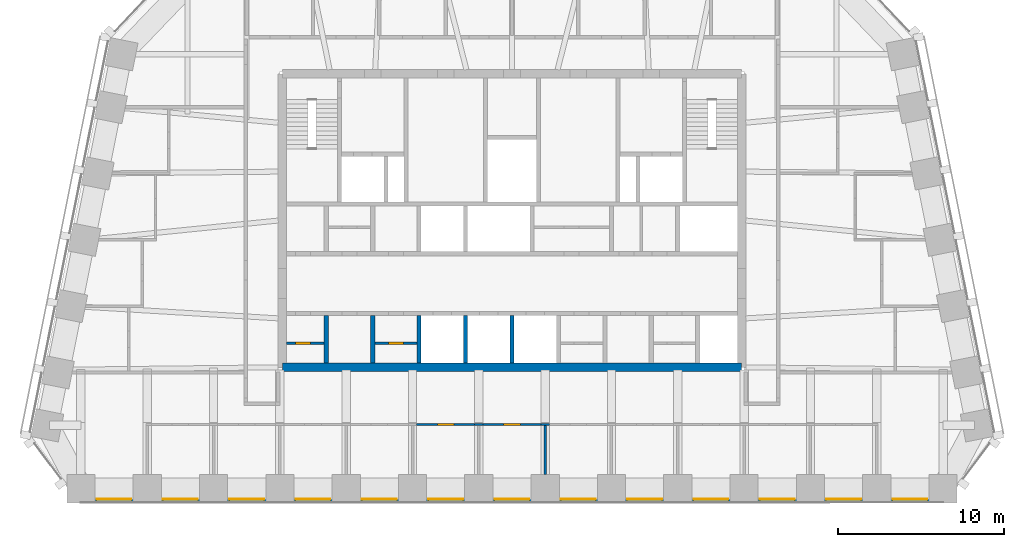
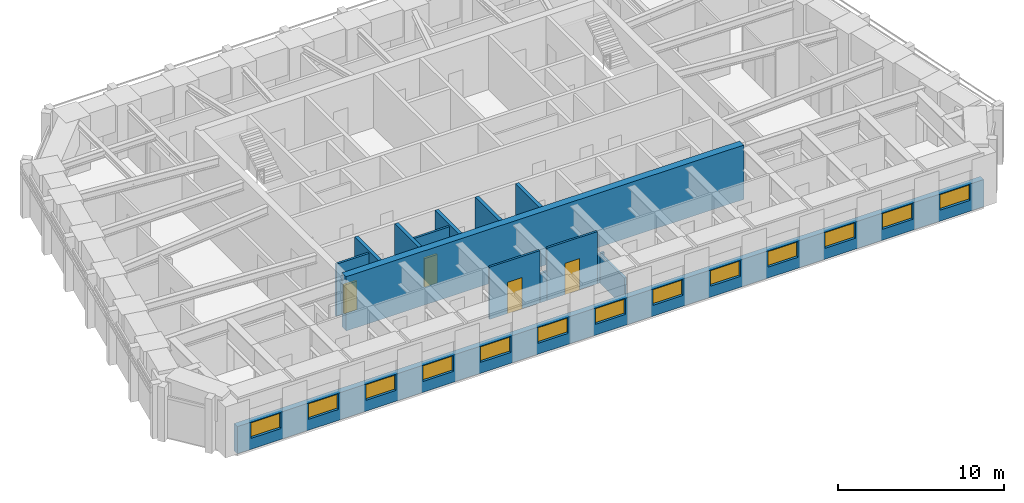
# One storey, part 5 of 12: 14 walls, 13 windows, 4 doors, 17 openings.
"""IFC4 building model written with IfcOpenShell, lengths in metres."""

from ifc_helpers import new_model, si_unit, direction, frame, frame_2d, origin, place, context, subcontext, project, spatial, rectangle, extrude, material, layer, layer_set, type_object, element, fill, save


model = new_model("IFC4")

# Units and contexts
model_context = context("Model", 3, precision=1e-05, world=origin(), true_north=direction((0.0, 1.0)))
body_context = subcontext(model_context, "Body", "Model", "MODEL_VIEW")
ifc_project = project(units=[si_unit("LENGTHUNIT", "METRE"), si_unit("AREAUNIT", "SQUARE_METRE"), si_unit("VOLUMEUNIT", "CUBIC_METRE"), si_unit("PLANEANGLEUNIT", "RADIAN"), si_unit("MASSUNIT", "GRAM", prefix="KILO")], contexts=[model_context])

# Site, building, storey
site_placement = place(None, origin())
site = spatial("IfcSite", under=ifc_project, at=site_placement, CompositionType="ELEMENT")
building_placement = place(site_placement, origin())
building = spatial("IfcBuilding", under=site, at=building_placement, Name="Isbrekke Arena Tower", CompositionType="ELEMENT")
storey_placement = place(building_placement, frame((0.0, 0.0, 304.0)))
storey = spatial("IfcBuildingStorey", under=building, at=storey_placement, Name="L71", CompositionType="ELEMENT", Elevation=304.0)

# Walls
ifc_material_1 = material(Name="Concrete B55 (C55/67)", Category="concrete")
ifc_layer_1 = layer(ifc_material_1, 0.5)
ifc_layer_set_1 = layer_set([ifc_layer_1], Name="CW5 CORE WALL 500")
wall_type_1 = type_object("IfcWallType", Name="CW5 CORE WALL 500", PredefinedType="SHEAR", material=ifc_layer_set_1)
wall_1_placement = place(storey_placement, frame((-13.85009765625, 6.14990234375, 0.0), z_axis=(0.0, 0.0, 1.0), x_axis=(1.0, 0.0, 0.0)))
element("IfcWall", 1, at=wall_1_placement, inside=storey, type_object=wall_type_1, Name="Core wall S L71", PredefinedType="SHEAR", context=body_context, shape_type="SweptSolid", body=[
    extrude(rectangle(XDim=27.7001953125, YDim=0.5, at=frame_2d((13.85009765625, 0.0))), origin(), (0.0, 0.0, 1.0), 4.0),
])
ifc_material_2 = material(Name="Concrete B45 (C45/55)", Category="concrete")
ifc_layer_2 = layer(ifc_material_2, 0.25)
ifc_layer_set_2 = layer_set([ifc_layer_2], Name="CW6 SHAFT WALL 250")
wall_type_2 = type_object("IfcWallType", Name="CW6 SHAFT WALL 250", PredefinedType="SHEAR", material=ifc_layer_set_2)
for number, where, z_axis, x_axis, name in (
    (2, (-11.199951171875, 6.39990234375, 0.0), (0.0, 0.0, 1.0), (0.0, 1.0, 0.0), "Core wall SS01 L71"),
    (3, (-8.39990234375, 6.39990234375, 0.0), (0.0, 0.0, 1.0), (0.0, 1.0, 0.0), "Core wall SS02 L71"),
    (4, (-5.60009765625, 6.39990234375, 0.0), (0.0, 0.0, 1.0), (0.0, 1.0, 0.0), "Core wall SS03 L71"),
    (5, (-2.800048828125, 6.39990234375, 0.0), (0.0, 0.0, 1.0), (0.0, 1.0, 0.0), "Core wall SS04 L71"),
    (6, (0.0, 6.39990234375, 0.0), (0.0, 0.0, 1.0), (0.0, 1.0, 0.0), "Core wall SS05 L71"),
):
    element("IfcWall", number, at=place(storey_placement, frame(where, z_axis=z_axis, x_axis=x_axis)), inside=storey, type_object=wall_type_2, Name=name, PredefinedType="SHEAR", context=body_context, shape_type="SweptSolid", body=[
        extrude(rectangle(XDim=2.875, YDim=0.25, at=frame_2d((1.4375, 0.0))), origin(), (0.0, 0.0, 1.0), 4.0),
    ])

# Wall, openings, windows
ifc_material_3 = material(Name="Copper cladding on insulated framing", Category="metal")
ifc_layer_3 = layer(ifc_material_3, 0.39990234375)
ifc_layer_set_3 = layer_set([ifc_layer_3], Name="EW2 COPPER-CLAD WALL 400")
wall_type_3 = type_object("IfcWallType", Name="EW2 COPPER-CLAD WALL 400", PredefinedType="SOLIDWALL", material=ifc_layer_set_3)
wall_2_placement = place(storey_placement, frame((-26.0, -1.800048828125, 0.0), z_axis=(0.0, 0.0, 1.0), x_axis=(1.0, 0.0, 0.0)))
wall_2 = element("IfcWall", 7, at=wall_2_placement, inside=storey, type_object=wall_type_3, Name="EW2 terrace wall L71", PredefinedType="SOLIDWALL", context=body_context, shape_type="SweptSolid", body=[
    extrude(rectangle(XDim=52.0, YDim=0.39990234375, at=frame_2d((26.0, 0.0))), origin(), (0.0, 0.0, 1.0), 2.0),
])
opening_1_placement = place(wall_2_placement, frame((0.949951171875, 0.0, 0.800048828125)))
opening_1 = element("IfcOpeningElement", 8, at=opening_1_placement, cuts=wall_2, Name="Opening WN1", PredefinedType="OPENING", context=body_context, shape_type="SweptSolid", body=[
    extrude(rectangle(XDim=2.10009765625, YDim=1.14990234375, at=frame_2d((1.050048828125, 0.574951171875))), frame((0.0, 0.21484375, 0.0), z_axis=(0.0, -1.0, 0.0), x_axis=(1.0, 0.0, 0.0)), (0.0, 0.0, 1.0), 0.4296875),
])
opening_2_placement = place(wall_2_placement, frame((4.949951171875, 0.0, 0.800048828125)))
opening_2 = element("IfcOpeningElement", 9, at=opening_2_placement, cuts=wall_2, Name="Opening WN1", PredefinedType="OPENING", context=body_context, shape_type="SweptSolid", body=[
    extrude(rectangle(XDim=2.10009765625, YDim=1.14990234375, at=frame_2d((1.050048828125, 0.574951171875))), frame((0.0, 0.21484375, 0.0), z_axis=(0.0, -1.0, 0.0), x_axis=(1.0, 0.0, 0.0)), (0.0, 0.0, 1.0), 0.4296875),
])
opening_3_placement = place(wall_2_placement, frame((8.949951171875, 0.0, 0.800048828125)))
opening_3 = element("IfcOpeningElement", 10, at=opening_3_placement, cuts=wall_2, Name="Opening WN1", PredefinedType="OPENING", context=body_context, shape_type="SweptSolid", body=[
    extrude(rectangle(XDim=2.10009765625, YDim=1.14990234375, at=frame_2d((1.050048828125, 0.574951171875))), frame((0.0, 0.21484375, 0.0), z_axis=(0.0, -1.0, 0.0), x_axis=(1.0, 0.0, 0.0)), (0.0, 0.0, 1.0), 0.4296875),
])
opening_4_placement = place(wall_2_placement, frame((12.949951171875, 0.0, 0.800048828125)))
opening_4 = element("IfcOpeningElement", 11, at=opening_4_placement, cuts=wall_2, Name="Opening WN1", PredefinedType="OPENING", context=body_context, shape_type="SweptSolid", body=[
    extrude(rectangle(XDim=2.10009765625, YDim=1.14990234375, at=frame_2d((1.050048828125, 0.574951171875))), frame((0.0, 0.21484375, 0.0), z_axis=(0.0, -1.0, 0.0), x_axis=(1.0, 0.0, 0.0)), (0.0, 0.0, 1.0), 0.4296875),
])
opening_5_placement = place(wall_2_placement, frame((16.949951171875, 0.0, 0.800048828125)))
opening_5 = element("IfcOpeningElement", 12, at=opening_5_placement, cuts=wall_2, Name="Opening WN1", PredefinedType="OPENING", context=body_context, shape_type="SweptSolid", body=[
    extrude(rectangle(XDim=2.10009765625, YDim=1.14990234375, at=frame_2d((1.050048828125, 0.574951171875))), frame((0.0, 0.21484375, 0.0), z_axis=(0.0, -1.0, 0.0), x_axis=(1.0, 0.0, 0.0)), (0.0, 0.0, 1.0), 0.4296875),
])
opening_6_placement = place(wall_2_placement, frame((20.949951171875, 0.0, 0.800048828125)))
opening_6 = element("IfcOpeningElement", 13, at=opening_6_placement, cuts=wall_2, Name="Opening WN1", PredefinedType="OPENING", context=body_context, shape_type="SweptSolid", body=[
    extrude(rectangle(XDim=2.10009765625, YDim=1.14990234375, at=frame_2d((1.050048828125, 0.574951171875))), frame((0.0, 0.21484375, 0.0), z_axis=(0.0, -1.0, 0.0), x_axis=(1.0, 0.0, 0.0)), (0.0, 0.0, 1.0), 0.4296875),
])
opening_7_placement = place(wall_2_placement, frame((24.949951171875, 0.0, 0.800048828125)))
opening_7 = element("IfcOpeningElement", 14, at=opening_7_placement, cuts=wall_2, Name="Opening WN1", PredefinedType="OPENING", context=body_context, shape_type="SweptSolid", body=[
    extrude(rectangle(XDim=2.10009765625, YDim=1.14990234375, at=frame_2d((1.050048828125, 0.574951171875))), frame((0.0, 0.21484375, 0.0), z_axis=(0.0, -1.0, 0.0), x_axis=(1.0, 0.0, 0.0)), (0.0, 0.0, 1.0), 0.4296875),
])
opening_8_placement = place(wall_2_placement, frame((28.949951171875, 0.0, 0.800048828125)))
opening_8 = element("IfcOpeningElement", 15, at=opening_8_placement, cuts=wall_2, Name="Opening WN1", PredefinedType="OPENING", context=body_context, shape_type="SweptSolid", body=[
    extrude(rectangle(XDim=2.10009765625, YDim=1.14990234375, at=frame_2d((1.050048828125, 0.574951171875))), frame((0.0, 0.21484375, 0.0), z_axis=(0.0, -1.0, 0.0), x_axis=(1.0, 0.0, 0.0)), (0.0, 0.0, 1.0), 0.4296875),
])
opening_9_placement = place(wall_2_placement, frame((32.949951171875, 0.0, 0.800048828125)))
opening_9 = element("IfcOpeningElement", 16, at=opening_9_placement, cuts=wall_2, Name="Opening WN1", PredefinedType="OPENING", context=body_context, shape_type="SweptSolid", body=[
    extrude(rectangle(XDim=2.10009765625, YDim=1.14990234375, at=frame_2d((1.050048828125, 0.574951171875))), frame((0.0, 0.21484375, 0.0), z_axis=(0.0, -1.0, 0.0), x_axis=(1.0, 0.0, 0.0)), (0.0, 0.0, 1.0), 0.4296875),
])
opening_10_placement = place(wall_2_placement, frame((36.949951171875, 0.0, 0.800048828125)))
opening_10 = element("IfcOpeningElement", 17, at=opening_10_placement, cuts=wall_2, Name="Opening WN1", PredefinedType="OPENING", context=body_context, shape_type="SweptSolid", body=[
    extrude(rectangle(XDim=2.10009765625, YDim=1.14990234375, at=frame_2d((1.050048828125, 0.574951171875))), frame((0.0, 0.21484375, 0.0), z_axis=(0.0, -1.0, 0.0), x_axis=(1.0, 0.0, 0.0)), (0.0, 0.0, 1.0), 0.4296875),
])
opening_11_placement = place(wall_2_placement, frame((40.949951171875, 0.0, 0.800048828125)))
opening_11 = element("IfcOpeningElement", 18, at=opening_11_placement, cuts=wall_2, Name="Opening WN1", PredefinedType="OPENING", context=body_context, shape_type="SweptSolid", body=[
    extrude(rectangle(XDim=2.10009765625, YDim=1.14990234375, at=frame_2d((1.050048828125, 0.574951171875))), frame((0.0, 0.21484375, 0.0), z_axis=(0.0, -1.0, 0.0), x_axis=(1.0, 0.0, 0.0)), (0.0, 0.0, 1.0), 0.4296875),
])
opening_12_placement = place(wall_2_placement, frame((44.949951171875, 0.0, 0.800048828125)))
opening_12 = element("IfcOpeningElement", 19, at=opening_12_placement, cuts=wall_2, Name="Opening WN1", PredefinedType="OPENING", context=body_context, shape_type="SweptSolid", body=[
    extrude(rectangle(XDim=2.10009765625, YDim=1.14990234375, at=frame_2d((1.050048828125, 0.574951171875))), frame((0.0, 0.21484375, 0.0), z_axis=(0.0, -1.0, 0.0), x_axis=(1.0, 0.0, 0.0)), (0.0, 0.0, 1.0), 0.4296875),
])
opening_13_placement = place(wall_2_placement, frame((48.949951171875, 0.0, 0.800048828125)))
opening_13 = element("IfcOpeningElement", 20, at=opening_13_placement, cuts=wall_2, Name="Opening WN1", PredefinedType="OPENING", context=body_context, shape_type="SweptSolid", body=[
    extrude(rectangle(XDim=2.10009765625, YDim=1.14990234375, at=frame_2d((1.050048828125, 0.574951171875))), frame((0.0, 0.21484375, 0.0), z_axis=(0.0, -1.0, 0.0), x_axis=(1.0, 0.0, 0.0)), (0.0, 0.0, 1.0), 0.4296875),
])
ifc_material_4 = material(Name="Timber-aluminium window, triple glazed", Category="wood")
window_type = type_object("IfcWindowType", Name="WN1 TERRACE WINDOW 2100 x 1150", PartitioningType="SINGLE_PANEL", PredefinedType="WINDOW", material=ifc_material_4)
window_1_placement = place(opening_1_placement, origin())
window_1 = element("IfcWindow", 21, at=window_1_placement, inside=storey, type_object=window_type, Name="WN1 terrace window L71-1", OverallHeight=1.14990234375, OverallWidth=2.10009765625, PartitioningType="SINGLE_PANEL", PredefinedType="WINDOW", context=body_context, shape_type="SweptSolid", body=[
    extrude(rectangle(XDim=2.10009765625, YDim=1.14990234375, at=frame_2d((1.050048828125, 0.574951171875))), frame((0.0, 0.030029296875, 0.0), z_axis=(0.0, -1.0, 0.0), x_axis=(1.0, 0.0, 0.0)), (0.0, 0.0, 1.0), 0.06005859375),
])
fill(opening_1, window_1)
window_2_placement = place(opening_2_placement, origin())
window_2 = element("IfcWindow", 22, at=window_2_placement, inside=storey, type_object=window_type, Name="WN1 terrace window L71-2", OverallHeight=1.14990234375, OverallWidth=2.10009765625, PartitioningType="SINGLE_PANEL", PredefinedType="WINDOW", context=body_context, shape_type="SweptSolid", body=[
    extrude(rectangle(XDim=2.10009765625, YDim=1.14990234375, at=frame_2d((1.050048828125, 0.574951171875))), frame((0.0, 0.030029296875, 0.0), z_axis=(0.0, -1.0, 0.0), x_axis=(1.0, 0.0, 0.0)), (0.0, 0.0, 1.0), 0.06005859375),
])
fill(opening_2, window_2)
window_3_placement = place(opening_3_placement, origin())
window_3 = element("IfcWindow", 23, at=window_3_placement, inside=storey, type_object=window_type, Name="WN1 terrace window L71-3", OverallHeight=1.14990234375, OverallWidth=2.10009765625, PartitioningType="SINGLE_PANEL", PredefinedType="WINDOW", context=body_context, shape_type="SweptSolid", body=[
    extrude(rectangle(XDim=2.10009765625, YDim=1.14990234375, at=frame_2d((1.050048828125, 0.574951171875))), frame((0.0, 0.030029296875, 0.0), z_axis=(0.0, -1.0, 0.0), x_axis=(1.0, 0.0, 0.0)), (0.0, 0.0, 1.0), 0.06005859375),
])
fill(opening_3, window_3)
window_4_placement = place(opening_4_placement, origin())
window_4 = element("IfcWindow", 24, at=window_4_placement, inside=storey, type_object=window_type, Name="WN1 terrace window L71-4", OverallHeight=1.14990234375, OverallWidth=2.10009765625, PartitioningType="SINGLE_PANEL", PredefinedType="WINDOW", context=body_context, shape_type="SweptSolid", body=[
    extrude(rectangle(XDim=2.10009765625, YDim=1.14990234375, at=frame_2d((1.050048828125, 0.574951171875))), frame((0.0, 0.030029296875, 0.0), z_axis=(0.0, -1.0, 0.0), x_axis=(1.0, 0.0, 0.0)), (0.0, 0.0, 1.0), 0.06005859375),
])
fill(opening_4, window_4)
window_5_placement = place(opening_5_placement, origin())
window_5 = element("IfcWindow", 25, at=window_5_placement, inside=storey, type_object=window_type, Name="WN1 terrace window L71-5", OverallHeight=1.14990234375, OverallWidth=2.10009765625, PartitioningType="SINGLE_PANEL", PredefinedType="WINDOW", context=body_context, shape_type="SweptSolid", body=[
    extrude(rectangle(XDim=2.10009765625, YDim=1.14990234375, at=frame_2d((1.050048828125, 0.574951171875))), frame((0.0, 0.030029296875, 0.0), z_axis=(0.0, -1.0, 0.0), x_axis=(1.0, 0.0, 0.0)), (0.0, 0.0, 1.0), 0.06005859375),
])
fill(opening_5, window_5)
window_6_placement = place(opening_6_placement, origin())
window_6 = element("IfcWindow", 26, at=window_6_placement, inside=storey, type_object=window_type, Name="WN1 terrace window L71-6", OverallHeight=1.14990234375, OverallWidth=2.10009765625, PartitioningType="SINGLE_PANEL", PredefinedType="WINDOW", context=body_context, shape_type="SweptSolid", body=[
    extrude(rectangle(XDim=2.10009765625, YDim=1.14990234375, at=frame_2d((1.050048828125, 0.574951171875))), frame((0.0, 0.030029296875, 0.0), z_axis=(0.0, -1.0, 0.0), x_axis=(1.0, 0.0, 0.0)), (0.0, 0.0, 1.0), 0.06005859375),
])
fill(opening_6, window_6)
window_7_placement = place(opening_7_placement, origin())
window_7 = element("IfcWindow", 27, at=window_7_placement, inside=storey, type_object=window_type, Name="WN1 terrace window L71-7", OverallHeight=1.14990234375, OverallWidth=2.10009765625, PartitioningType="SINGLE_PANEL", PredefinedType="WINDOW", context=body_context, shape_type="SweptSolid", body=[
    extrude(rectangle(XDim=2.10009765625, YDim=1.14990234375, at=frame_2d((1.050048828125, 0.574951171875))), frame((0.0, 0.030029296875, 0.0), z_axis=(0.0, -1.0, 0.0), x_axis=(1.0, 0.0, 0.0)), (0.0, 0.0, 1.0), 0.06005859375),
])
fill(opening_7, window_7)
window_8_placement = place(opening_8_placement, origin())
window_8 = element("IfcWindow", 28, at=window_8_placement, inside=storey, type_object=window_type, Name="WN1 terrace window L71-8", OverallHeight=1.14990234375, OverallWidth=2.10009765625, PartitioningType="SINGLE_PANEL", PredefinedType="WINDOW", context=body_context, shape_type="SweptSolid", body=[
    extrude(rectangle(XDim=2.10009765625, YDim=1.14990234375, at=frame_2d((1.050048828125, 0.574951171875))), frame((0.0, 0.030029296875, 0.0), z_axis=(0.0, -1.0, 0.0), x_axis=(1.0, 0.0, 0.0)), (0.0, 0.0, 1.0), 0.06005859375),
])
fill(opening_8, window_8)
window_9_placement = place(opening_9_placement, origin())
window_9 = element("IfcWindow", 29, at=window_9_placement, inside=storey, type_object=window_type, Name="WN1 terrace window L71-9", OverallHeight=1.14990234375, OverallWidth=2.10009765625, PartitioningType="SINGLE_PANEL", PredefinedType="WINDOW", context=body_context, shape_type="SweptSolid", body=[
    extrude(rectangle(XDim=2.10009765625, YDim=1.14990234375, at=frame_2d((1.050048828125, 0.574951171875))), frame((0.0, 0.030029296875, 0.0), z_axis=(0.0, -1.0, 0.0), x_axis=(1.0, 0.0, 0.0)), (0.0, 0.0, 1.0), 0.06005859375),
])
fill(opening_9, window_9)
window_10_placement = place(opening_10_placement, origin())
window_10 = element("IfcWindow", 30, at=window_10_placement, inside=storey, type_object=window_type, Name="WN1 terrace window L71-10", OverallHeight=1.14990234375, OverallWidth=2.10009765625, PartitioningType="SINGLE_PANEL", PredefinedType="WINDOW", context=body_context, shape_type="SweptSolid", body=[
    extrude(rectangle(XDim=2.10009765625, YDim=1.14990234375, at=frame_2d((1.050048828125, 0.574951171875))), frame((0.0, 0.030029296875, 0.0), z_axis=(0.0, -1.0, 0.0), x_axis=(1.0, 0.0, 0.0)), (0.0, 0.0, 1.0), 0.06005859375),
])
fill(opening_10, window_10)
window_11_placement = place(opening_11_placement, origin())
window_11 = element("IfcWindow", 31, at=window_11_placement, inside=storey, type_object=window_type, Name="WN1 terrace window L71-11", OverallHeight=1.14990234375, OverallWidth=2.10009765625, PartitioningType="SINGLE_PANEL", PredefinedType="WINDOW", context=body_context, shape_type="SweptSolid", body=[
    extrude(rectangle(XDim=2.10009765625, YDim=1.14990234375, at=frame_2d((1.050048828125, 0.574951171875))), frame((0.0, 0.030029296875, 0.0), z_axis=(0.0, -1.0, 0.0), x_axis=(1.0, 0.0, 0.0)), (0.0, 0.0, 1.0), 0.06005859375),
])
fill(opening_11, window_11)
window_12_placement = place(opening_12_placement, origin())
window_12 = element("IfcWindow", 32, at=window_12_placement, inside=storey, type_object=window_type, Name="WN1 terrace window L71-12", OverallHeight=1.14990234375, OverallWidth=2.10009765625, PartitioningType="SINGLE_PANEL", PredefinedType="WINDOW", context=body_context, shape_type="SweptSolid", body=[
    extrude(rectangle(XDim=2.10009765625, YDim=1.14990234375, at=frame_2d((1.050048828125, 0.574951171875))), frame((0.0, 0.030029296875, 0.0), z_axis=(0.0, -1.0, 0.0), x_axis=(1.0, 0.0, 0.0)), (0.0, 0.0, 1.0), 0.06005859375),
])
fill(opening_12, window_12)
window_13_placement = place(opening_13_placement, origin())
window_13 = element("IfcWindow", 33, at=window_13_placement, inside=storey, type_object=window_type, Name="WN1 terrace window L71-13", OverallHeight=1.14990234375, OverallWidth=2.10009765625, PartitioningType="SINGLE_PANEL", PredefinedType="WINDOW", context=body_context, shape_type="SweptSolid", body=[
    extrude(rectangle(XDim=2.10009765625, YDim=1.14990234375, at=frame_2d((1.050048828125, 0.574951171875))), frame((0.0, 0.030029296875, 0.0), z_axis=(0.0, -1.0, 0.0), x_axis=(1.0, 0.0, 0.0)), (0.0, 0.0, 1.0), 0.06005859375),
])
fill(opening_13, window_13)

# Wall, opening, door
ifc_material_5 = material(Name="Gypsum board partition on steel studs", Category="steel")
ifc_layer_4 = layer(ifc_material_5, 0.14990234375)
ifc_layer_set_4 = layer_set([ifc_layer_4], Name="IW1 PARTITION 150")
wall_type_4 = type_object("IfcWallType", Name="IW1 PARTITION 150", PredefinedType="PARTITIONING", material=ifc_layer_set_4)
wall_3_placement = place(storey_placement, frame((-5.75, 2.699951171875, 0.0), z_axis=(0.0, 0.0, 1.0), x_axis=(1.0, 0.0, 0.0)))
wall_3 = element("IfcWall", 34, at=wall_3_placement, inside=storey, type_object=wall_type_4, Name="IW1 partition 150 L71", PredefinedType="PARTITIONING", context=body_context, shape_type="SweptSolid", body=[
    extrude(rectangle(XDim=3.5, YDim=0.14990234375, at=frame_2d((1.75, 0.0))), origin(), (0.0, 0.0, 1.0), 3.85009765625),
])
opening_14_placement = place(wall_3_placement, frame((1.25, 0.0, 0.0)))
opening_14 = element("IfcOpeningElement", 35, at=opening_14_placement, cuts=wall_3, Name="Opening D10", PredefinedType="OPENING", context=body_context, shape_type="SweptSolid", body=[
    extrude(rectangle(XDim=1.0, YDim=2.300048828125, at=frame_2d((0.5, 1.14990234375))), frame((0.0, 0.08984375, 0.0), z_axis=(0.0, -1.0, 0.0), x_axis=(1.0, 0.0, 0.0)), (0.0, 0.0, 1.0), 0.1796875),
])
ifc_material_6 = material(Name="Timber door", Category="wood")
door_type_1 = type_object("IfcDoorType", Name="D10 OFFICE DOOR 1000 x 2300", OperationType="SINGLE_SWING_LEFT", PredefinedType="DOOR", material=ifc_material_6)
door_1_placement = place(opening_14_placement, origin())
door_1 = element("IfcDoor", 36, at=door_1_placement, inside=storey, type_object=door_type_1, Name="D10 executive office door L71", OperationType="SINGLE_SWING_LEFT", OverallHeight=2.300048828125, OverallWidth=1.0, PredefinedType="DOOR", context=body_context, shape_type="SweptSolid", body=[
    extrude(rectangle(XDim=1.0, YDim=2.300048828125, at=frame_2d((0.5, 1.14990234375))), frame((0.0, 0.07470703125, 0.0), z_axis=(0.0, -1.0, 0.0), x_axis=(1.0, 0.0, 0.0)), (0.0, 0.0, 1.0), 0.1494140625),
])
fill(opening_14, door_1)

# Wall
wall_4_placement = place(storey_placement, frame((-2.25, 2.699951171875, 0.0), z_axis=(0.0, 0.0, 1.0), x_axis=(1.0, 0.0, 0.0)))
element("IfcWall", 37, at=wall_4_placement, inside=storey, type_object=wall_type_4, Name="IW1 partition 150 L71", PredefinedType="PARTITIONING", context=body_context, shape_type="SweptSolid", body=[
    extrude(rectangle(XDim=0.5, YDim=0.14990234375, at=frame_2d((0.25, 0.0))), origin(), (0.0, 0.0, 1.0), 2.14990234375),
])

# Wall, opening, door
wall_5_placement = place(storey_placement, frame((-1.75, 2.699951171875, 0.0), z_axis=(0.0, 0.0, 1.0), x_axis=(1.0, 0.0, 0.0)))
wall_5 = element("IfcWall", 38, at=wall_5_placement, inside=storey, type_object=wall_type_4, Name="IW1 partition 150 L71", PredefinedType="PARTITIONING", context=body_context, shape_type="SweptSolid", body=[
    extrude(rectangle(XDim=3.5, YDim=0.14990234375, at=frame_2d((1.75, 0.0))), origin(), (0.0, 0.0, 1.0), 3.85009765625),
])
opening_15_placement = place(wall_5_placement, frame((1.25, 0.0, 0.0)))
opening_15 = element("IfcOpeningElement", 39, at=opening_15_placement, cuts=wall_5, Name="Opening D10", PredefinedType="OPENING", context=body_context, shape_type="SweptSolid", body=[
    extrude(rectangle(XDim=1.0, YDim=2.300048828125, at=frame_2d((0.5, 1.14990234375))), frame((0.0, 0.08984375, 0.0), z_axis=(0.0, -1.0, 0.0), x_axis=(1.0, 0.0, 0.0)), (0.0, 0.0, 1.0), 0.1796875),
])
door_2_placement = place(opening_15_placement, origin())
door_2 = element("IfcDoor", 40, at=door_2_placement, inside=storey, type_object=door_type_1, Name="D10 executive office door L71", OperationType="SINGLE_SWING_LEFT", OverallHeight=2.300048828125, OverallWidth=1.0, PredefinedType="DOOR", context=body_context, shape_type="SweptSolid", body=[
    extrude(rectangle(XDim=1.0, YDim=2.300048828125, at=frame_2d((0.5, 1.14990234375))), frame((0.0, 0.07470703125, 0.0), z_axis=(0.0, -1.0, 0.0), x_axis=(1.0, 0.0, 0.0)), (0.0, 0.0, 1.0), 0.1494140625),
])
fill(opening_15, door_2)

# Walls
wall_6_placement = place(storey_placement, frame((1.75, 2.699951171875, 0.0), z_axis=(0.0, 0.0, 1.0), x_axis=(1.0, 0.0, 0.0)))
element("IfcWall", 41, at=wall_6_placement, inside=storey, type_object=wall_type_4, Name="IW1 partition 150 L71", PredefinedType="PARTITIONING", context=body_context, shape_type="SweptSolid", body=[
    extrude(rectangle(XDim=0.5, YDim=0.14990234375, at=frame_2d((0.25, 0.0))), origin(), (0.0, 0.0, 1.0), 2.14990234375),
])
wall_7_placement = place(storey_placement, frame((2.0, -0.324951171875, 0.0), z_axis=(0.0, 0.0, 1.0), x_axis=(0.0, 1.0, 0.0)))
element("IfcWall", 42, at=wall_7_placement, inside=storey, type_object=wall_type_4, Name="IW1 partition 150 L71", PredefinedType="PARTITIONING", context=body_context, shape_type="SweptSolid", body=[
    extrude(rectangle(XDim=2.949951171875, YDim=0.14990234375, at=frame_2d((1.47509765625, 0.0))), origin(), (0.0, 0.0, 1.0), 2.14990234375),
])

# Wall, opening, door
ifc_material_7 = material(Name="Gypsum board fire-rated partition on steel studs, two layers each side", Category="steel")
ifc_layer_5 = layer(ifc_material_7, 0.14990234375)
ifc_layer_set_5 = layer_set([ifc_layer_5], Name="IW5 FIRE-RATED PARTITION 150")
wall_type_5 = type_object("IfcWallType", Name="IW5 FIRE-RATED PARTITION 150", PredefinedType="PARTITIONING", material=ifc_layer_set_5)
wall_8_placement = place(storey_placement, frame((-13.60009765625, 7.60009765625, 0.0), z_axis=(0.0, 0.0, 1.0), x_axis=(1.0, 0.0, 0.0)))
wall_8 = element("IfcWall", 43, at=wall_8_placement, inside=storey, type_object=wall_type_5, Name="IW5 fire-rated partition L71 core service rooms 4", PredefinedType="PARTITIONING", context=body_context, shape_type="SweptSolid", body=[
    extrude(rectangle(XDim=2.275146484375, YDim=0.14990234375, at=frame_2d((1.1376953125, 0.0))), origin(), (0.0, 0.0, 1.0), 3.85009765625),
])
opening_16_placement = place(wall_8_placement, frame((0.550048828125, 0.0, 0.0)))
opening_16 = element("IfcOpeningElement", 44, at=opening_16_placement, cuts=wall_8, Name="Opening D5", PredefinedType="OPENING", context=body_context, shape_type="SweptSolid", body=[
    extrude(rectangle(XDim=0.89990234375, YDim=2.10009765625, at=frame_2d((0.449951171875, 1.050048828125))), frame((0.0, 0.08984375, 0.0), z_axis=(0.0, -1.0, 0.0), x_axis=(1.0, 0.0, 0.0)), (0.0, 0.0, 1.0), 0.1796875),
])
ifc_material_8 = material(Name="Steel fire door", Category="steel")
door_type_2 = type_object("IfcDoorType", Name="D5 SERVICE DOOR 900 x 2100", OperationType="SINGLE_SWING_LEFT", PredefinedType="DOOR", material=ifc_material_8)
door_3_placement = place(opening_16_placement, origin())
door_3 = element("IfcDoor", 45, at=door_3_placement, inside=storey, type_object=door_type_2, Name="D5 tenant store door L71", OperationType="SINGLE_SWING_LEFT", OverallHeight=2.10009765625, OverallWidth=0.89990234375, PredefinedType="DOOR", context=body_context, shape_type="SweptSolid", body=[
    extrude(rectangle(XDim=0.89990234375, YDim=2.10009765625, at=frame_2d((0.449951171875, 1.050048828125))), frame((0.0, 0.07470703125, 0.0), z_axis=(0.0, -1.0, 0.0), x_axis=(1.0, 0.0, 0.0)), (0.0, 0.0, 1.0), 0.1494140625),
])
fill(opening_16, door_3)

wall_9_placement = place(storey_placement, frame((-8.27490234375, 7.60009765625, 0.0), z_axis=(0.0, 0.0, 1.0), x_axis=(1.0, 0.0, 0.0)))
wall_9 = element("IfcWall", 46, at=wall_9_placement, inside=storey, type_object=wall_type_5, Name="IW5 fire-rated partition L71 core service rooms 5", PredefinedType="PARTITIONING", context=body_context, shape_type="SweptSolid", body=[
    extrude(rectangle(XDim=2.5498046875, YDim=0.14990234375, at=frame_2d((1.27490234375, 0.0))), origin(), (0.0, 0.0, 1.0), 3.85009765625),
])
opening_17_placement = place(wall_9_placement, frame((0.824951171875, 0.0, 0.0)))
opening_17 = element("IfcOpeningElement", 47, at=opening_17_placement, cuts=wall_9, Name="Opening D5", PredefinedType="OPENING", context=body_context, shape_type="SweptSolid", body=[
    extrude(rectangle(XDim=0.89990234375, YDim=2.10009765625, at=frame_2d((0.449951171875, 1.050048828125))), frame((0.0, 0.08984375, 0.0), z_axis=(0.0, -1.0, 0.0), x_axis=(1.0, 0.0, 0.0)), (0.0, 0.0, 1.0), 0.1796875),
])
door_4_placement = place(opening_17_placement, origin())
door_4 = element("IfcDoor", 48, at=door_4_placement, inside=storey, type_object=door_type_2, Name="D5 store door L71", OperationType="SINGLE_SWING_LEFT", OverallHeight=2.10009765625, OverallWidth=0.89990234375, PredefinedType="DOOR", context=body_context, shape_type="SweptSolid", body=[
    extrude(rectangle(XDim=0.89990234375, YDim=2.10009765625, at=frame_2d((0.449951171875, 1.050048828125))), frame((0.0, 0.07470703125, 0.0), z_axis=(0.0, -1.0, 0.0), x_axis=(1.0, 0.0, 0.0)), (0.0, 0.0, 1.0), 0.1494140625),
])
fill(opening_17, door_4)

save(model, "model.ifc")
